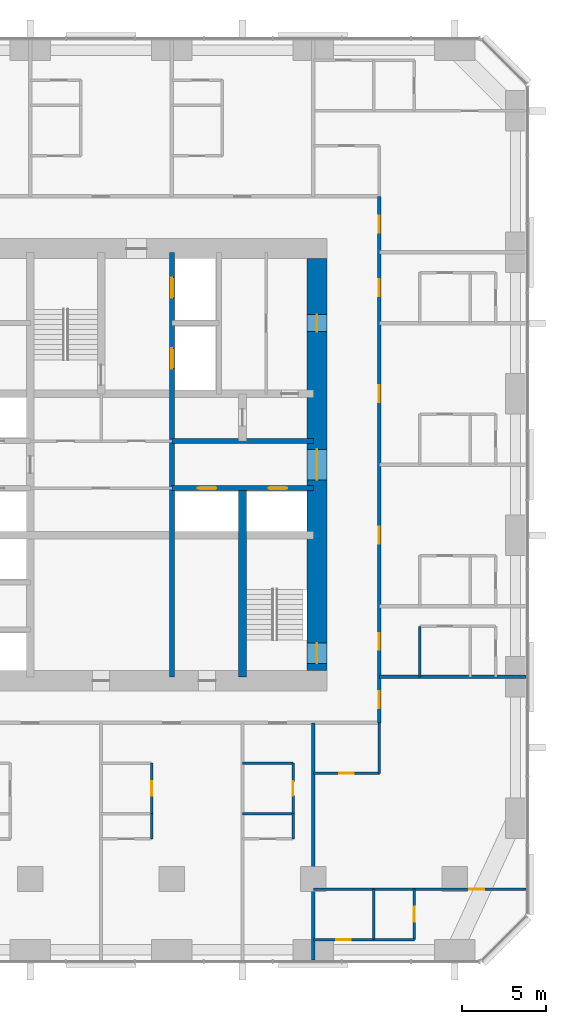
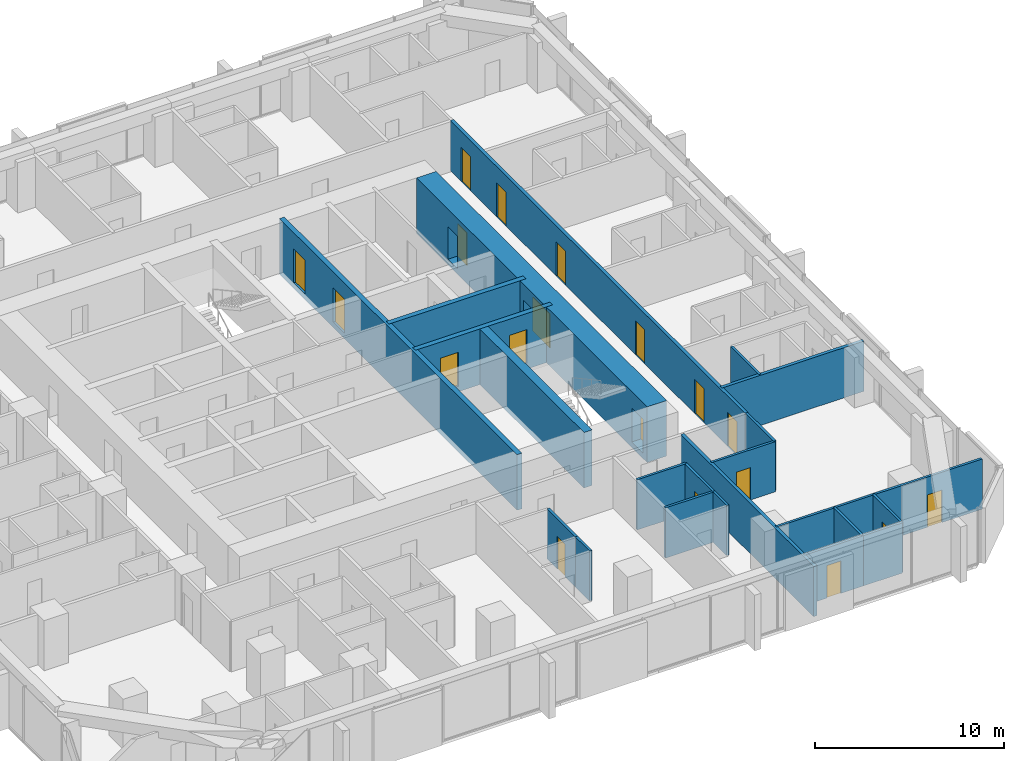
# One storey, part 10 of 14: 22 walls, 19 doors, 19 openings.
"""IFC4 building model written with IfcOpenShell, lengths in metres."""

from ifc_helpers import new_model, si_unit, direction, frame, frame_2d, origin, place, context, subcontext, project, spatial, rectangle, extrude, material, layer, layer_set, type_object, element, fill, save


model = new_model("IFC4")

# Units and contexts
model_context = context("Model", 3, precision=1e-05, world=origin(), true_north=direction((0.0, 1.0)))
body_context = subcontext(model_context, "Body", "Model", "MODEL_VIEW")
ifc_project = project(units=[si_unit("LENGTHUNIT", "METRE"), si_unit("AREAUNIT", "SQUARE_METRE"), si_unit("VOLUMEUNIT", "CUBIC_METRE"), si_unit("PLANEANGLEUNIT", "RADIAN"), si_unit("MASSUNIT", "GRAM", prefix="KILO")], contexts=[model_context])

# Site, building, storey
site_placement = place(None, origin())
site = spatial("IfcSite", under=ifc_project, at=site_placement, CompositionType="ELEMENT")
building_placement = place(site_placement, origin())
building = spatial("IfcBuilding", under=site, at=building_placement, Name="Dunama Terrace Hotel", CompositionType="ELEMENT")
storey_placement = place(building_placement, frame((0.0, 0.0, 100.800048828125)))
storey = spatial("IfcBuildingStorey", under=building, at=storey_placement, Name="L25", CompositionType="ELEMENT", Elevation=100.800048828125)

# Wall, opening, door
ifc_material_1 = material(Name="Gypsum board partition", Category="masonry")
ifc_layer_1 = layer(ifc_material_1, 0.14990234375)
ifc_layer_set_1 = layer_set([ifc_layer_1], Name="Bathroom partition 150")
wall_type_1 = type_object("IfcWallType", Name="Bathroom partition 150", PredefinedType="PARTITIONING", material=ifc_layer_set_1)
wall_1_placement = place(storey_placement, frame((32.39990234375, 8.675048828125, 0.0), z_axis=(0.0, 0.0, 1.0), x_axis=(0.0, 1.0, 0.0)))
wall_1 = element("IfcWall", 1, at=wall_1_placement, inside=storey, type_object=wall_type_1, Name="Bathroom partition 150 L25", PredefinedType="PARTITIONING", context=body_context, shape_type="SweptSolid", body=[
    extrude(rectangle(XDim=3.0, YDim=0.14990234375, at=frame_2d((1.5, 0.0))), origin(), (0.0, 0.0, 1.0), 3.25),
])
opening_1_placement = place(wall_1_placement, frame((1.074951171875, 0.0, 0.0)))
opening_1 = element("IfcOpeningElement", 2, at=opening_1_placement, cuts=wall_1, Name="Opening L25-27-018", PredefinedType="OPENING", context=body_context, shape_type="SweptSolid", body=[
    extrude(rectangle(XDim=0.85009765625, YDim=2.10009765625, at=frame_2d((0.425048828125, 1.050048828125))), frame((0.0, 0.0849609375, 0.0), z_axis=(0.0, -1.0, 0.0), x_axis=(1.0, 0.0, 0.0)), (0.0, 0.0, 1.0), 0.169921875),
])
ifc_material_2 = material(Name="Timber door with steel frame", Category="steel")
door_type_1 = type_object("IfcDoorType", Name="Bathroom door 850", OperationType="SINGLE_SWING_LEFT", PredefinedType="DOOR", material=ifc_material_2)
door_1_placement = place(opening_1_placement, origin())
door_1 = element("IfcDoor", 3, at=door_1_placement, inside=storey, type_object=door_type_1, Name="Door to en-suite bathroom L25-27-018, type D2", OperationType="SINGLE_SWING_LEFT", OverallHeight=2.10009765625, OverallWidth=0.85009765625, PredefinedType="DOOR", context=body_context, shape_type="SweptSolid", body=[
    extrude(rectangle(XDim=0.85009765625, YDim=2.10009765625, at=frame_2d((0.425048828125, 1.050048828125))), frame((0.0, 0.02490234375, 0.0), z_axis=(0.0, -1.0, 0.0), x_axis=(1.0, 0.0, 0.0)), (0.0, 0.0, 1.0), 0.050048828125),
])
fill(opening_1, door_1)

wall_2_placement = place(storey_placement, frame((40.800048828125, 8.675048828125, 0.0), z_axis=(0.0, 0.0, 1.0), x_axis=(0.0, 1.0, 0.0)))
wall_2 = element("IfcWall", 4, at=wall_2_placement, inside=storey, type_object=wall_type_1, Name="Bathroom partition 150 L25", PredefinedType="PARTITIONING", context=body_context, shape_type="SweptSolid", body=[
    extrude(rectangle(XDim=3.0, YDim=0.14990234375, at=frame_2d((1.5, 0.0))), origin(), (0.0, 0.0, 1.0), 3.25),
])
opening_2_placement = place(wall_2_placement, frame((1.074951171875, 0.0, 0.0)))
opening_2 = element("IfcOpeningElement", 5, at=opening_2_placement, cuts=wall_2, Name="Opening L25-27-021", PredefinedType="OPENING", context=body_context, shape_type="SweptSolid", body=[
    extrude(rectangle(XDim=0.85009765625, YDim=2.10009765625, at=frame_2d((0.425048828125, 1.050048828125))), frame((0.0, 0.0849609375, 0.0), z_axis=(0.0, -1.0, 0.0), x_axis=(1.0, 0.0, 0.0)), (0.0, 0.0, 1.0), 0.169921875),
])
door_2_placement = place(opening_2_placement, origin())
door_2 = element("IfcDoor", 6, at=door_2_placement, inside=storey, type_object=door_type_1, Name="Door to en-suite bathroom L25-27-021, type D2", OperationType="SINGLE_SWING_LEFT", OverallHeight=2.10009765625, OverallWidth=0.85009765625, PredefinedType="DOOR", context=body_context, shape_type="SweptSolid", body=[
    extrude(rectangle(XDim=0.85009765625, YDim=2.10009765625, at=frame_2d((0.425048828125, 1.050048828125))), frame((0.0, 0.02490234375, 0.0), z_axis=(0.0, -1.0, 0.0), x_axis=(1.0, 0.0, 0.0)), (0.0, 0.0, 1.0), 0.050048828125),
])
fill(opening_2, door_2)

# Walls
for number, where, z_axis, x_axis, name in (
    (7, (45.925048828125, 11.074951171875, 0.0), (0.0, 0.0, 1.0), (0.0, 1.0, 0.0), "Bathroom partition 150 L25"),
    (8, (48.324951171875, 16.800048828125, 0.0), (0.0, 0.0, 1.0), (0.0, 1.0, 0.0), "Bathroom partition 150 L25"),
):
    element("IfcWall", number, at=place(storey_placement, frame(where, z_axis=z_axis, x_axis=x_axis)), inside=storey, type_object=wall_type_1, Name=name, PredefinedType="PARTITIONING", context=body_context, shape_type="SweptSolid", body=[
        extrude(rectangle(XDim=3.0, YDim=0.14990234375, at=frame_2d((1.5, 0.0))), origin(), (0.0, 0.0, 1.0), 3.25),
    ])

# Wall, opening, door
wall_3_placement = place(storey_placement, frame((42.0, 1.199951171875, 0.0), z_axis=(0.0, 0.0, 1.0), x_axis=(1.0, 0.0, 0.0)))
wall_3 = element("IfcWall", 9, at=wall_3_placement, inside=storey, type_object=wall_type_1, Name="Bathroom partition 150 L25", PredefinedType="PARTITIONING", context=body_context, shape_type="SweptSolid", body=[
    extrude(rectangle(XDim=3.60009765625, YDim=0.14990234375, at=frame_2d((1.800048828125, 0.0))), origin(), (0.0, 0.0, 1.0), 3.25),
])
opening_3_placement = place(wall_3_placement, frame((1.375, 0.0, 0.0)))
opening_3 = element("IfcOpeningElement", 10, at=opening_3_placement, cuts=wall_3, Name="Opening L25-27-067", PredefinedType="OPENING", context=body_context, shape_type="SweptSolid", body=[
    extrude(rectangle(XDim=0.85009765625, YDim=2.10009765625, at=frame_2d((0.425048828125, 1.050048828125))), frame((0.0, 0.0849609375, 0.0), z_axis=(0.0, -1.0, 0.0), x_axis=(1.0, 0.0, 0.0)), (0.0, 0.0, 1.0), 0.169921875),
])
door_3_placement = place(opening_3_placement, origin())
door_3 = element("IfcDoor", 11, at=door_3_placement, inside=storey, type_object=door_type_1, Name="Door to en-suite bathroom L25-27-067, type D2", OperationType="SINGLE_SWING_LEFT", OverallHeight=2.10009765625, OverallWidth=0.85009765625, PredefinedType="DOOR", context=body_context, shape_type="SweptSolid", body=[
    extrude(rectangle(XDim=0.85009765625, YDim=2.10009765625, at=frame_2d((0.425048828125, 1.050048828125))), frame((0.0, 0.02490234375, 0.0), z_axis=(0.0, -1.0, 0.0), x_axis=(1.0, 0.0, 0.0)), (0.0, 0.0, 1.0), 0.050048828125),
])
fill(opening_3, door_3)

wall_4_placement = place(storey_placement, frame((42.0, 11.074951171875, 0.0), z_axis=(0.0, 0.0, 1.0), x_axis=(1.0, 0.0, 0.0)))
wall_4 = element("IfcWall", 12, at=wall_4_placement, inside=storey, type_object=wall_type_1, Name="Bathroom partition 150 L25", PredefinedType="PARTITIONING", context=body_context, shape_type="SweptSolid", body=[
    extrude(rectangle(XDim=3.925048828125, YDim=0.14990234375, at=frame_2d((1.96240234375, 0.0))), origin(), (0.0, 0.0, 1.0), 3.25),
])
opening_4_placement = place(wall_4_placement, frame((1.5380859375, 0.0, 0.0)))
opening_4 = element("IfcOpeningElement", 13, at=opening_4_placement, cuts=wall_4, Name="Opening L25-27-065", PredefinedType="OPENING", context=body_context, shape_type="SweptSolid", body=[
    extrude(rectangle(XDim=0.85009765625, YDim=2.10009765625, at=frame_2d((0.425048828125, 1.050048828125))), frame((0.0, 0.0849609375, 0.0), z_axis=(0.0, -1.0, 0.0), x_axis=(1.0, 0.0, 0.0)), (0.0, 0.0, 1.0), 0.169921875),
])
door_4_placement = place(opening_4_placement, origin())
door_4 = element("IfcDoor", 14, at=door_4_placement, inside=storey, type_object=door_type_1, Name="Door to powder room L25-27-065, type D2", OperationType="SINGLE_SWING_LEFT", OverallHeight=2.10009765625, OverallWidth=0.85009765625, PredefinedType="DOOR", context=body_context, shape_type="SweptSolid", body=[
    extrude(rectangle(XDim=0.85009765625, YDim=2.10009765625, at=frame_2d((0.425048828125, 1.050048828125))), frame((0.0, 0.02490234375, 0.0), z_axis=(0.0, -1.0, 0.0), x_axis=(1.0, 0.0, 0.0)), (0.0, 0.0, 1.0), 0.050048828125),
])
fill(opening_4, door_4)

# Wall
wall_5_placement = place(storey_placement, frame((37.800048828125, 11.675048828125, 0.0), z_axis=(0.0, 0.0, 1.0), x_axis=(1.0, 0.0, 0.0)))
element("IfcWall", 15, at=wall_5_placement, inside=storey, type_object=wall_type_1, Name="Bathroom partition 150 L25", PredefinedType="PARTITIONING", context=body_context, shape_type="SweptSolid", body=[
    extrude(rectangle(XDim=3.0, YDim=0.14990234375, at=frame_2d((1.5, 0.0))), origin(), (0.0, 0.0, 1.0), 3.25),
])

# Wall, openings, doors
ifc_material_3 = material(Name="Concrete C50/60", Category="concrete")
ifc_layer_2 = layer(ifc_material_3, 0.300048828125)
ifc_layer_set_2 = layer_set([ifc_layer_2], Name="Core inner wall 300")
wall_type_2 = type_object("IfcWallType", Name="Core inner wall 300", PredefinedType="SHEAR", material=ifc_layer_set_2)
wall_6_placement = place(storey_placement, frame((33.60009765625, 16.800048828125, -0.35009765625), z_axis=(0.0, 0.0, 1.0), x_axis=(0.0, 1.0, 0.0)))
wall_6 = element("IfcWall", 16, at=wall_6_placement, inside=storey, type_object=wall_type_2, Name="Core inner wall 300 L25", PredefinedType="SHEAR", context=body_context, shape_type="SweptSolid", body=[
    extrude(rectangle(XDim=25.199951171875, YDim=0.300048828125, at=frame_2d((12.60009765625, 0.0))), origin(), (0.0, 0.0, 1.0), 3.60009765625),
])
opening_5_placement = place(wall_6_placement, frame((22.5, 0.0, 0.35009765625)))
opening_5 = element("IfcOpeningElement", 17, at=opening_5_placement, cuts=wall_6, Name="Opening L25-27-009", PredefinedType="OPENING", context=body_context, shape_type="SweptSolid", body=[
    extrude(rectangle(XDim=1.199951171875, YDim=2.199951171875, at=frame_2d((0.60009765625, 1.10009765625))), frame((0.0, 0.159912109375, 0.0), z_axis=(0.0, -1.0, 0.0), x_axis=(1.0, 0.0, 0.0)), (0.0, 0.0, 1.0), 0.320068359375),
])
opening_6_placement = place(wall_6_placement, frame((18.300048828125, 0.0, 0.35009765625)))
opening_6 = element("IfcOpeningElement", 18, at=opening_6_placement, cuts=wall_6, Name="Opening L25-27-010", PredefinedType="OPENING", context=body_context, shape_type="SweptSolid", body=[
    extrude(rectangle(XDim=1.199951171875, YDim=2.199951171875, at=frame_2d((0.60009765625, 1.10009765625))), frame((0.0, 0.159912109375, 0.0), z_axis=(0.0, -1.0, 0.0), x_axis=(1.0, 0.0, 0.0)), (0.0, 0.0, 1.0), 0.320068359375),
])
ifc_material_4 = material(Name="Stainless steel lift door", Category="steel")
door_type_2 = type_object("IfcDoorType", Name="Firefighting lift landing door 1200", OperationType="DOUBLE_DOOR_SLIDING", PredefinedType="DOOR", material=ifc_material_4)
door_5_placement = place(opening_5_placement, origin())
door_5 = element("IfcDoor", 19, at=door_5_placement, inside=storey, type_object=door_type_2, Name="Landing door FL1 L25-27-009, type LD2", OperationType="DOUBLE_DOOR_SLIDING", OverallHeight=2.199951171875, OverallWidth=1.199951171875, PredefinedType="DOOR", context=body_context, shape_type="SweptSolid", body=[
    extrude(rectangle(XDim=1.199951171875, YDim=2.199951171875, at=frame_2d((0.60009765625, 1.10009765625))), frame((0.0, 0.02490234375, 0.0), z_axis=(0.0, -1.0, 0.0), x_axis=(1.0, 0.0, 0.0)), (0.0, 0.0, 1.0), 0.050048828125),
])
fill(opening_5, door_5)
door_6_placement = place(opening_6_placement, origin())
door_6 = element("IfcDoor", 20, at=door_6_placement, inside=storey, type_object=door_type_2, Name="Landing door FL2 L25-27-010, type LD2", OperationType="DOUBLE_DOOR_SLIDING", OverallHeight=2.199951171875, OverallWidth=1.199951171875, PredefinedType="DOOR", context=body_context, shape_type="SweptSolid", body=[
    extrude(rectangle(XDim=1.199951171875, YDim=2.199951171875, at=frame_2d((0.60009765625, 1.10009765625))), frame((0.0, 0.02490234375, 0.0), z_axis=(0.0, -1.0, 0.0), x_axis=(1.0, 0.0, 0.0)), (0.0, 0.0, 1.0), 0.050048828125),
])
fill(opening_6, door_6)

wall_7_placement = place(storey_placement, frame((33.60009765625, 28.0, -0.35009765625), z_axis=(0.0, 0.0, 1.0), x_axis=(1.0, 0.0, 0.0)))
wall_7 = element("IfcWall", 21, at=wall_7_placement, inside=storey, type_object=wall_type_2, Name="Core inner wall 300 L25", PredefinedType="SHEAR", context=body_context, shape_type="SweptSolid", body=[
    extrude(rectangle(XDim=8.39990234375, YDim=0.300048828125, at=frame_2d((4.199951171875, 0.0))), origin(), (0.0, 0.0, 1.0), 3.60009765625),
])
opening_7_placement = place(wall_7_placement, frame((1.550048828125, 0.0, 0.35009765625)))
opening_7 = element("IfcOpeningElement", 22, at=opening_7_placement, cuts=wall_7, Name="Opening L25-27-003", PredefinedType="OPENING", context=body_context, shape_type="SweptSolid", body=[
    extrude(rectangle(XDim=1.10009765625, YDim=2.199951171875, at=frame_2d((0.550048828125, 1.10009765625))), frame((0.0, 0.159912109375, 0.0), z_axis=(0.0, -1.0, 0.0), x_axis=(1.0, 0.0, 0.0)), (0.0, 0.0, 1.0), 0.320068359375),
])
opening_8_placement = place(wall_7_placement, frame((5.75, 0.0, 0.35009765625)))
opening_8 = element("IfcOpeningElement", 23, at=opening_8_placement, cuts=wall_7, Name="Opening L25-27-004", PredefinedType="OPENING", context=body_context, shape_type="SweptSolid", body=[
    extrude(rectangle(XDim=1.10009765625, YDim=2.199951171875, at=frame_2d((0.550048828125, 1.10009765625))), frame((0.0, 0.159912109375, 0.0), z_axis=(0.0, -1.0, 0.0), x_axis=(1.0, 0.0, 0.0)), (0.0, 0.0, 1.0), 0.320068359375),
])
ifc_material_5 = material(Name="Stainless steel lift door", Category="steel")
door_type_3 = type_object("IfcDoorType", Name="Lift landing door 1100", OperationType="DOUBLE_DOOR_SLIDING", PredefinedType="DOOR", material=ifc_material_5)
door_7_placement = place(opening_7_placement, origin())
door_7 = element("IfcDoor", 24, at=door_7_placement, inside=storey, type_object=door_type_3, Name="Landing door PB1 L25-27-003, type LD1", OperationType="DOUBLE_DOOR_SLIDING", OverallHeight=2.199951171875, OverallWidth=1.10009765625, PredefinedType="DOOR", context=body_context, shape_type="SweptSolid", body=[
    extrude(rectangle(XDim=1.10009765625, YDim=2.199951171875, at=frame_2d((0.550048828125, 1.10009765625))), frame((0.0, 0.02490234375, 0.0), z_axis=(0.0, -1.0, 0.0), x_axis=(1.0, 0.0, 0.0)), (0.0, 0.0, 1.0), 0.050048828125),
])
fill(opening_7, door_7)
door_8_placement = place(opening_8_placement, origin())
door_8 = element("IfcDoor", 25, at=door_8_placement, inside=storey, type_object=door_type_3, Name="Landing door PB2 L25-27-004, type LD1", OperationType="DOUBLE_DOOR_SLIDING", OverallHeight=2.199951171875, OverallWidth=1.10009765625, PredefinedType="DOOR", context=body_context, shape_type="SweptSolid", body=[
    extrude(rectangle(XDim=1.10009765625, YDim=2.199951171875, at=frame_2d((0.550048828125, 1.10009765625))), frame((0.0, 0.02490234375, 0.0), z_axis=(0.0, -1.0, 0.0), x_axis=(1.0, 0.0, 0.0)), (0.0, 0.0, 1.0), 0.050048828125),
])
fill(opening_8, door_8)

# Walls
wall_8_placement = place(storey_placement, frame((33.60009765625, 30.800048828125, -0.35009765625), z_axis=(0.0, 0.0, 1.0), x_axis=(1.0, 0.0, 0.0)))
element("IfcWall", 26, at=wall_8_placement, inside=storey, type_object=wall_type_2, Name="Core inner wall 300 L25", PredefinedType="SHEAR", context=body_context, shape_type="SweptSolid", body=[
    extrude(rectangle(XDim=8.39990234375, YDim=0.300048828125, at=frame_2d((4.199951171875, 0.0))), origin(), (0.0, 0.0, 1.0), 3.60009765625),
])
ifc_material_6 = material(Name="Concrete C50/60", Category="concrete")
ifc_layer_3 = layer(ifc_material_6, 0.5)
ifc_layer_set_3 = layer_set([ifc_layer_3], Name="Core inner wall 500")
wall_type_3 = type_object("IfcWallType", Name="Core inner wall 500", PredefinedType="SHEAR", material=ifc_layer_set_3)
wall_9_placement = place(storey_placement, frame((37.800048828125, 16.800048828125, -0.35009765625), z_axis=(0.0, 0.0, 1.0), x_axis=(0.0, 1.0, 0.0)))
element("IfcWall", 27, at=wall_9_placement, inside=storey, type_object=wall_type_3, Name="Core inner wall 500 L25", PredefinedType="SHEAR", context=body_context, shape_type="SweptSolid", body=[
    extrude(rectangle(XDim=11.199951171875, YDim=0.5, at=frame_2d((5.60009765625, 0.0))), origin(), (0.0, 0.0, 1.0), 3.60009765625),
])

# Wall, openings, doors
ifc_material_7 = material(Name="Concrete C60/75", Category="concrete")
ifc_layer_4 = layer(ifc_material_7, 1.199951171875)
ifc_layer_set_4 = layer_set([ifc_layer_4], Name="Core wall 1200")
wall_type_4 = type_object("IfcWallType", Name="Core wall 1200", PredefinedType="SHEAR", material=ifc_layer_set_4)
wall_10_placement = place(storey_placement, frame((42.22509765625, 17.175048828125, -0.35009765625), z_axis=(0.0, 0.0, 1.0), x_axis=(0.0, 1.0, 0.0)))
wall_10 = element("IfcWall", 28, at=wall_10_placement, inside=storey, type_object=wall_type_4, Name="Core wall east L25", PredefinedType="SHEAR", context=body_context, shape_type="SweptSolid", body=[
    extrude(rectangle(XDim=24.449951171875, YDim=1.199951171875, at=frame_2d((12.22509765625, 0.0))), origin(), (0.0, 0.0, 1.0), 3.60009765625),
])
opening_9_placement = place(wall_10_placement, frame((0.425048828125, 0.0, 0.35009765625)))
opening_9 = element("IfcOpeningElement", 29, at=opening_9_placement, cuts=wall_10, Name="Opening L25-27-002", PredefinedType="OPENING", context=body_context, shape_type="SweptSolid", body=[
    extrude(rectangle(XDim=1.199951171875, YDim=2.199951171875, at=frame_2d((0.60009765625, 1.10009765625))), frame((0.0, 0.60986328125, 0.0), z_axis=(0.0, -1.0, 0.0), x_axis=(1.0, 0.0, 0.0)), (0.0, 0.0, 1.0), 1.219970703125),
])
opening_10_placement = place(wall_10_placement, frame((11.324951171875, 0.0, 0.35009765625)))
opening_10 = element("IfcOpeningElement", 30, at=opening_10_placement, cuts=wall_10, Name="Opening L25-27-089", PredefinedType="OPENING", context=body_context, shape_type="SweptSolid", body=[
    extrude(rectangle(XDim=1.800048828125, YDim=2.199951171875, at=frame_2d((0.89990234375, 1.10009765625))), frame((0.0, 0.60986328125, 0.0), z_axis=(0.0, -1.0, 0.0), x_axis=(1.0, 0.0, 0.0)), (0.0, 0.0, 1.0), 1.219970703125),
])
opening_11_placement = place(wall_10_placement, frame((20.125, 0.0, 0.35009765625)))
opening_11 = element("IfcOpeningElement", 31, at=opening_11_placement, cuts=wall_10, Name="Opening L25-27-091", PredefinedType="OPENING", context=body_context, shape_type="SweptSolid", body=[
    extrude(rectangle(XDim=1.0, YDim=2.10009765625, at=frame_2d((0.5, 1.050048828125))), frame((0.0, 0.60986328125, 0.0), z_axis=(0.0, -1.0, 0.0), x_axis=(1.0, 0.0, 0.0)), (0.0, 0.0, 1.0), 1.219970703125),
])
ifc_material_8 = material(Name="Timber door with steel frame", Category="steel")
door_type_4 = type_object("IfcDoorType", Name="Lift lobby double door 1800", OperationType="DOUBLE_DOOR_DOUBLE_SWING", PredefinedType="DOOR", material=ifc_material_8)
door_9_placement = place(opening_10_placement, origin())
door_9 = element("IfcDoor", 32, at=door_9_placement, inside=storey, type_object=door_type_4, Name="Door to lift lobby L25-27-089, type D3", OperationType="DOUBLE_DOOR_DOUBLE_SWING", OverallHeight=2.199951171875, OverallWidth=1.800048828125, PredefinedType="DOOR", context=body_context, shape_type="SweptSolid", body=[
    extrude(rectangle(XDim=1.800048828125, YDim=2.199951171875, at=frame_2d((0.89990234375, 1.10009765625))), frame((0.0, 0.02490234375, 0.0), z_axis=(0.0, -1.0, 0.0), x_axis=(1.0, 0.0, 0.0)), (0.0, 0.0, 1.0), 0.050048828125),
])
fill(opening_10, door_9)
ifc_material_9 = material(Name="Timber door with steel frame", Category="steel")
door_type_5 = type_object("IfcDoorType", Name="Service door 1000", OperationType="SINGLE_SWING_LEFT", PredefinedType="DOOR", material=ifc_material_9)
door_10_placement = place(opening_11_placement, origin())
door_10 = element("IfcDoor", 33, at=door_10_placement, inside=storey, type_object=door_type_5, Name="Door to guest pantry L25-27-091, type D7", OperationType="SINGLE_SWING_LEFT", OverallHeight=2.10009765625, OverallWidth=1.0, PredefinedType="DOOR", context=body_context, shape_type="SweptSolid", body=[
    extrude(rectangle(XDim=1.0, YDim=2.10009765625, at=frame_2d((0.5, 1.050048828125))), frame((0.0, 0.02490234375, 0.0), z_axis=(0.0, -1.0, 0.0), x_axis=(1.0, 0.0, 0.0)), (0.0, 0.0, 1.0), 0.050048828125),
])
fill(opening_11, door_10)
ifc_material_10 = material(Name="Timber door with steel frame", Category="steel")
door_type_6 = type_object("IfcDoorType", Name="Stair door 1200", OperationType="SINGLE_SWING_LEFT", PredefinedType="DOOR", material=ifc_material_10)
door_11_placement = place(opening_9_placement, origin())
door_11 = element("IfcDoor", 34, at=door_11_placement, inside=storey, type_object=door_type_6, Name="Stair door ST2 L25-27-002, type D5", OperationType="SINGLE_SWING_LEFT", OverallHeight=2.199951171875, OverallWidth=1.199951171875, PredefinedType="DOOR", context=body_context, shape_type="SweptSolid", body=[
    extrude(rectangle(XDim=1.199951171875, YDim=2.199951171875, at=frame_2d((0.60009765625, 1.10009765625))), frame((0.0, 0.02490234375, 0.0), z_axis=(0.0, -1.0, 0.0), x_axis=(1.0, 0.0, 0.0)), (0.0, 0.0, 1.0), 0.050048828125),
])
fill(opening_9, door_11)

ifc_material_11 = material(Name="Concrete blockwork", Category="masonry")
ifc_layer_5 = layer(ifc_material_11, 0.199951171875)
ifc_layer_set_5 = layer_set([ifc_layer_5], Name="Corridor partition 200")
wall_type_5 = type_object("IfcWallType", Name="Corridor partition 200", PredefinedType="PARTITIONING", material=ifc_layer_set_5)
wall_11_placement = place(storey_placement, frame((45.925048828125, 45.324951171875, 0.0), z_axis=(0.0, 0.0, 1.0), x_axis=(0.0, -1.0, 0.0)))
wall_11 = element("IfcWall", 35, at=wall_11_placement, inside=storey, type_object=wall_type_5, Name="Corridor partition 200 L25", PredefinedType="PARTITIONING", context=body_context, shape_type="SweptSolid", body=[
    extrude(rectangle(XDim=31.25, YDim=0.199951171875, at=frame_2d((15.625, 0.0))), origin(), (0.0, 0.0, 1.0), 3.25),
])
opening_12_placement = place(wall_11_placement, frame((25.925048828125, 0.0, 0.0)))
opening_12 = element("IfcOpeningElement", 36, at=opening_12_placement, cuts=wall_11, Name="Opening L25-27-023", PredefinedType="OPENING", context=body_context, shape_type="SweptSolid", body=[
    extrude(rectangle(XDim=1.0, YDim=2.199951171875, at=frame_2d((0.5, 1.10009765625))), frame((0.0, 0.10986328125, 0.0), z_axis=(0.0, -1.0, 0.0), x_axis=(1.0, 0.0, 0.0)), (0.0, 0.0, 1.0), 0.219970703125),
])
opening_13_placement = place(wall_11_placement, frame((19.625, 0.0, 0.0)))
opening_13 = element("IfcOpeningElement", 37, at=opening_13_placement, cuts=wall_11, Name="Opening L25-27-026", PredefinedType="OPENING", context=body_context, shape_type="SweptSolid", body=[
    extrude(rectangle(XDim=1.0, YDim=2.199951171875, at=frame_2d((0.5, 1.10009765625))), frame((0.0, 0.10986328125, 0.0), z_axis=(0.0, -1.0, 0.0), x_axis=(1.0, 0.0, 0.0)), (0.0, 0.0, 1.0), 0.219970703125),
])
opening_14_placement = place(wall_11_placement, frame((11.22509765625, 0.0, 0.0)))
opening_14 = element("IfcOpeningElement", 38, at=opening_14_placement, cuts=wall_11, Name="Opening L25-27-029", PredefinedType="OPENING", context=body_context, shape_type="SweptSolid", body=[
    extrude(rectangle(XDim=1.0, YDim=2.199951171875, at=frame_2d((0.5, 1.10009765625))), frame((0.0, 0.10986328125, 0.0), z_axis=(0.0, -1.0, 0.0), x_axis=(1.0, 0.0, 0.0)), (0.0, 0.0, 1.0), 0.219970703125),
])
opening_15_placement = place(wall_11_placement, frame((4.925048828125, 0.0, 0.0)))
opening_15 = element("IfcOpeningElement", 39, at=opening_15_placement, cuts=wall_11, Name="Opening L25-27-032", PredefinedType="OPENING", context=body_context, shape_type="SweptSolid", body=[
    extrude(rectangle(XDim=1.0, YDim=2.199951171875, at=frame_2d((0.5, 1.10009765625))), frame((0.0, 0.10986328125, 0.0), z_axis=(0.0, -1.0, 0.0), x_axis=(1.0, 0.0, 0.0)), (0.0, 0.0, 1.0), 0.219970703125),
])
opening_16_placement = place(wall_11_placement, frame((29.386962890625, 0.0, 0.0)))
opening_16 = element("IfcOpeningElement", 40, at=opening_16_placement, cuts=wall_11, Name="Opening L25-27-064", PredefinedType="OPENING", context=body_context, shape_type="SweptSolid", body=[
    extrude(rectangle(XDim=1.0, YDim=2.199951171875, at=frame_2d((0.5, 1.10009765625))), frame((0.0, 0.10986328125, 0.0), z_axis=(0.0, -1.0, 0.0), x_axis=(1.0, 0.0, 0.0)), (0.0, 0.0, 1.0), 0.219970703125),
])
opening_17_placement = place(wall_11_placement, frame((1.162109375, 0.0, 0.0)))
opening_17 = element("IfcOpeningElement", 41, at=opening_17_placement, cuts=wall_11, Name="Opening L25-27-069", PredefinedType="OPENING", context=body_context, shape_type="SweptSolid", body=[
    extrude(rectangle(XDim=1.0, YDim=2.199951171875, at=frame_2d((0.5, 1.10009765625))), frame((0.0, 0.10986328125, 0.0), z_axis=(0.0, -1.0, 0.0), x_axis=(1.0, 0.0, 0.0)), (0.0, 0.0, 1.0), 0.219970703125),
])
ifc_material_12 = material(Name="Timber door with steel frame", Category="steel")
door_type_7 = type_object("IfcDoorType", Name="Guest room door 1000", OperationType="SINGLE_SWING_LEFT", PredefinedType="DOOR", material=ifc_material_12)
door_12_placement = place(opening_12_placement, origin())
door_12 = element("IfcDoor", 42, at=door_12_placement, inside=storey, type_object=door_type_7, Name="Door to premier room L25-27-023, type D1", OperationType="SINGLE_SWING_LEFT", OverallHeight=2.199951171875, OverallWidth=1.0, PredefinedType="DOOR", context=body_context, shape_type="SweptSolid", body=[
    extrude(rectangle(XDim=1.0, YDim=2.199951171875, at=frame_2d((0.5, 1.10009765625))), frame((0.0, 0.02490234375, 0.0), z_axis=(0.0, -1.0, 0.0), x_axis=(1.0, 0.0, 0.0)), (0.0, 0.0, 1.0), 0.050048828125),
])
fill(opening_12, door_12)
door_13_placement = place(opening_13_placement, origin())
door_13 = element("IfcDoor", 43, at=door_13_placement, inside=storey, type_object=door_type_7, Name="Door to junior suite L25-27-026, type D1", OperationType="SINGLE_SWING_RIGHT", OverallHeight=2.199951171875, OverallWidth=1.0, PredefinedType="DOOR", context=body_context, shape_type="SweptSolid", body=[
    extrude(rectangle(XDim=1.0, YDim=2.199951171875, at=frame_2d((0.5, 1.10009765625))), frame((0.0, 0.02490234375, 0.0), z_axis=(0.0, -1.0, 0.0), x_axis=(1.0, 0.0, 0.0)), (0.0, 0.0, 1.0), 0.050048828125),
])
fill(opening_13, door_13)
door_14_placement = place(opening_14_placement, origin())
door_14 = element("IfcDoor", 44, at=door_14_placement, inside=storey, type_object=door_type_7, Name="Door to junior suite L25-27-029, type D1", OperationType="SINGLE_SWING_RIGHT", OverallHeight=2.199951171875, OverallWidth=1.0, PredefinedType="DOOR", context=body_context, shape_type="SweptSolid", body=[
    extrude(rectangle(XDim=1.0, YDim=2.199951171875, at=frame_2d((0.5, 1.10009765625))), frame((0.0, 0.02490234375, 0.0), z_axis=(0.0, -1.0, 0.0), x_axis=(1.0, 0.0, 0.0)), (0.0, 0.0, 1.0), 0.050048828125),
])
fill(opening_14, door_14)
door_15_placement = place(opening_15_placement, origin())
door_15 = element("IfcDoor", 45, at=door_15_placement, inside=storey, type_object=door_type_7, Name="Door to premier room L25-27-032, type D1", OperationType="SINGLE_SWING_LEFT", OverallHeight=2.199951171875, OverallWidth=1.0, PredefinedType="DOOR", context=body_context, shape_type="SweptSolid", body=[
    extrude(rectangle(XDim=1.0, YDim=2.199951171875, at=frame_2d((0.5, 1.10009765625))), frame((0.0, 0.02490234375, 0.0), z_axis=(0.0, -1.0, 0.0), x_axis=(1.0, 0.0, 0.0)), (0.0, 0.0, 1.0), 0.050048828125),
])
fill(opening_15, door_15)
door_16_placement = place(opening_16_placement, origin())
door_16 = element("IfcDoor", 46, at=door_16_placement, inside=storey, type_object=door_type_7, Name="Door to corner suite living room L25-27-064, type D1", OperationType="SINGLE_SWING_LEFT", OverallHeight=2.199951171875, OverallWidth=1.0, PredefinedType="DOOR", context=body_context, shape_type="SweptSolid", body=[
    extrude(rectangle(XDim=1.0, YDim=2.199951171875, at=frame_2d((0.5, 1.10009765625))), frame((0.0, 0.02490234375, 0.0), z_axis=(0.0, -1.0, 0.0), x_axis=(1.0, 0.0, 0.0)), (0.0, 0.0, 1.0), 0.050048828125),
])
fill(opening_16, door_16)
door_17_placement = place(opening_17_placement, origin())
door_17 = element("IfcDoor", 47, at=door_17_placement, inside=storey, type_object=door_type_7, Name="Door to corner suite living room L25-27-069, type D1", OperationType="SINGLE_SWING_LEFT", OverallHeight=2.199951171875, OverallWidth=1.0, PredefinedType="DOOR", context=body_context, shape_type="SweptSolid", body=[
    extrude(rectangle(XDim=1.0, YDim=2.199951171875, at=frame_2d((0.5, 1.10009765625))), frame((0.0, 0.02490234375, 0.0), z_axis=(0.0, -1.0, 0.0), x_axis=(1.0, 0.0, 0.0)), (0.0, 0.0, 1.0), 0.050048828125),
])
fill(opening_17, door_17)

# Walls
ifc_material_13 = material(Name="Concrete blockwork", Category="masonry")
ifc_layer_6 = layer(ifc_material_13, 0.199951171875)
ifc_layer_set_6 = layer_set([ifc_layer_6], Name="Party wall 200")
wall_type_6 = type_object("IfcWallType", Name="Party wall 200", PredefinedType="PARTITIONING", material=ifc_layer_set_6)
wall_12_placement = place(storey_placement, frame((42.0, -0.01806640625, 0.0), z_axis=(0.0, 0.0, 1.0), x_axis=(0.0, 1.0, 0.0)))
element("IfcWall", 48, at=wall_12_placement, inside=storey, type_object=wall_type_6, Name="Party wall 200 L25", PredefinedType="PARTITIONING", context=body_context, shape_type="SweptSolid", body=[
    extrude(rectangle(XDim=14.093017578125, YDim=0.199951171875, at=frame_2d((7.04638671875, 0.0))), origin(), (0.0, 0.0, 1.0), 3.25),
])
wall_13_placement = place(storey_placement, frame((45.925048828125, 16.800048828125, 0.0), z_axis=(0.0, 0.0, 1.0), x_axis=(1.0, 0.0, 0.0)))
element("IfcWall", 49, at=wall_13_placement, inside=storey, type_object=wall_type_6, Name="Party wall 200 L25", PredefinedType="PARTITIONING", context=body_context, shape_type="SweptSolid", body=[
    extrude(rectangle(XDim=8.69287109375, YDim=0.199951171875, at=frame_2d((4.346435546875, 0.0))), origin(), (0.0, 0.0, 1.0), 3.25),
])
ifc_material_14 = material(Name="Gypsum board partition", Category="masonry")
ifc_layer_7 = layer(ifc_material_14, 0.14990234375)
ifc_layer_set_7 = layer_set([ifc_layer_7], Name="Room partition 150")
wall_type_7 = type_object("IfcWallType", Name="Room partition 150", PredefinedType="PARTITIONING", material=ifc_layer_set_7)
for number, where, z_axis, x_axis, name in (
    (50, (32.39990234375, 7.175048828125, 0.0), (0.0, 0.0, 1.0), (0.0, 1.0, 0.0), "Room partition 150 L25"),
    (51, (40.800048828125, 7.175048828125, 0.0), (0.0, 0.0, 1.0), (0.0, 1.0, 0.0), "Room partition 150 L25"),
):
    element("IfcWall", number, at=place(storey_placement, frame(where, z_axis=z_axis, x_axis=x_axis)), inside=storey, type_object=wall_type_7, Name=name, PredefinedType="PARTITIONING", context=body_context, shape_type="SweptSolid", body=[
        extrude(rectangle(XDim=1.5, YDim=0.14990234375, at=frame_2d((0.75, 0.0))), origin(), (0.0, 0.0, 1.0), 3.25),
    ])
wall_14_placement = place(storey_placement, frame((45.60009765625, 1.199951171875, 0.0), z_axis=(0.0, 0.0, 1.0), x_axis=(0.0, 1.0, 0.0)))
element("IfcWall", 52, at=wall_14_placement, inside=storey, type_object=wall_type_7, Name="Room partition 150 L25", PredefinedType="PARTITIONING", context=body_context, shape_type="SweptSolid", body=[
    extrude(rectangle(XDim=3.0, YDim=0.14990234375, at=frame_2d((1.5, 0.0))), origin(), (0.0, 0.0, 1.0), 3.25),
])

# Wall, opening, door
wall_15_placement = place(storey_placement, frame((48.0, 1.199951171875, 0.0), z_axis=(0.0, 0.0, 1.0), x_axis=(0.0, 1.0, 0.0)))
wall_15 = element("IfcWall", 53, at=wall_15_placement, inside=storey, type_object=wall_type_7, Name="Room partition 150 L25", PredefinedType="PARTITIONING", context=body_context, shape_type="SweptSolid", body=[
    extrude(rectangle(XDim=3.0, YDim=0.14990234375, at=frame_2d((1.5, 0.0))), origin(), (0.0, 0.0, 1.0), 3.25),
])
opening_18_placement = place(wall_15_placement, frame((1.050048828125, 0.0, 0.0)))
opening_18 = element("IfcOpeningElement", 54, at=opening_18_placement, cuts=wall_15, Name="Opening L25-27-068", PredefinedType="OPENING", context=body_context, shape_type="SweptSolid", body=[
    extrude(rectangle(XDim=0.89990234375, YDim=2.10009765625, at=frame_2d((0.449951171875, 1.050048828125))), frame((0.0, 0.0849609375, 0.0), z_axis=(0.0, -1.0, 0.0), x_axis=(1.0, 0.0, 0.0)), (0.0, 0.0, 1.0), 0.169921875),
])
ifc_material_15 = material(Name="Timber door with steel frame", Category="steel")
door_type_8 = type_object("IfcDoorType", Name="Suite internal door 900", OperationType="SINGLE_SWING_LEFT", PredefinedType="DOOR", material=ifc_material_15)
door_18_placement = place(opening_18_placement, origin())
door_18 = element("IfcDoor", 55, at=door_18_placement, inside=storey, type_object=door_type_8, Name="Door to dressing room L25-27-068, type D16", OperationType="SINGLE_SWING_LEFT", OverallHeight=2.10009765625, OverallWidth=0.89990234375, PredefinedType="DOOR", context=body_context, shape_type="SweptSolid", body=[
    extrude(rectangle(XDim=0.89990234375, YDim=2.10009765625, at=frame_2d((0.449951171875, 1.050048828125))), frame((0.0, 0.02490234375, 0.0), z_axis=(0.0, -1.0, 0.0), x_axis=(1.0, 0.0, 0.0)), (0.0, 0.0, 1.0), 0.050048828125),
])
fill(opening_18, door_18)

# Wall
wall_16_placement = place(storey_placement, frame((45.60009765625, 1.199951171875, 0.0), z_axis=(0.0, 0.0, 1.0), x_axis=(1.0, 0.0, 0.0)))
element("IfcWall", 56, at=wall_16_placement, inside=storey, type_object=wall_type_7, Name="Room partition 150 L25", PredefinedType="PARTITIONING", context=body_context, shape_type="SweptSolid", body=[
    extrude(rectangle(XDim=2.39990234375, YDim=0.14990234375, at=frame_2d((1.199951171875, 0.0))), origin(), (0.0, 0.0, 1.0), 3.25),
])

# Wall, opening, door
wall_17_placement = place(storey_placement, frame((42.0, 4.199951171875, 0.0), z_axis=(0.0, 0.0, 1.0), x_axis=(1.0, 0.0, 0.0)))
wall_17 = element("IfcWall", 57, at=wall_17_placement, inside=storey, type_object=wall_type_7, Name="Room partition 150 L25", PredefinedType="PARTITIONING", context=body_context, shape_type="SweptSolid", body=[
    extrude(rectangle(XDim=12.617919921875, YDim=0.14990234375, at=frame_2d((6.30908203125, 0.0))), origin(), (0.0, 0.0, 1.0), 3.25),
])
opening_19_placement = place(wall_17_placement, frame((9.25, 0.0, 0.0)))
opening_19 = element("IfcOpeningElement", 58, at=opening_19_placement, cuts=wall_17, Name="Opening L25-27-066", PredefinedType="OPENING", context=body_context, shape_type="SweptSolid", body=[
    extrude(rectangle(XDim=0.89990234375, YDim=2.10009765625, at=frame_2d((0.449951171875, 1.050048828125))), frame((0.0, 0.0849609375, 0.0), z_axis=(0.0, -1.0, 0.0), x_axis=(1.0, 0.0, 0.0)), (0.0, 0.0, 1.0), 0.169921875),
])
door_19_placement = place(opening_19_placement, frame((0.89990234375, 0.0, 0.0), z_axis=(0.0, 0.0, 1.0), x_axis=(-1.0, 0.0, 0.0)))
door_19 = element("IfcDoor", 59, at=door_19_placement, inside=storey, type_object=door_type_8, Name="Door to corner suite bedroom L25-27-066, type D16", OperationType="SINGLE_SWING_RIGHT", OverallHeight=2.10009765625, OverallWidth=0.89990234375, PredefinedType="DOOR", context=body_context, shape_type="SweptSolid", body=[
    extrude(rectangle(XDim=0.89990234375, YDim=2.10009765625, at=frame_2d((0.449951171875, 1.050048828125))), frame((0.0, 0.025146484375, 0.0), z_axis=(0.0, -1.0, 0.0), x_axis=(1.0, 0.0, 0.0)), (0.0, 0.0, 1.0), 0.050048828125),
])
fill(opening_19, door_19)

# Wall
wall_18_placement = place(storey_placement, frame((37.800048828125, 8.675048828125, 0.0), z_axis=(0.0, 0.0, 1.0), x_axis=(1.0, 0.0, 0.0)))
element("IfcWall", 60, at=wall_18_placement, inside=storey, type_object=wall_type_7, Name="Room partition 150 L25", PredefinedType="PARTITIONING", context=body_context, shape_type="SweptSolid", body=[
    extrude(rectangle(XDim=3.0, YDim=0.14990234375, at=frame_2d((1.5, 0.0))), origin(), (0.0, 0.0, 1.0), 3.25),
])

save(model, "model.ifc")
